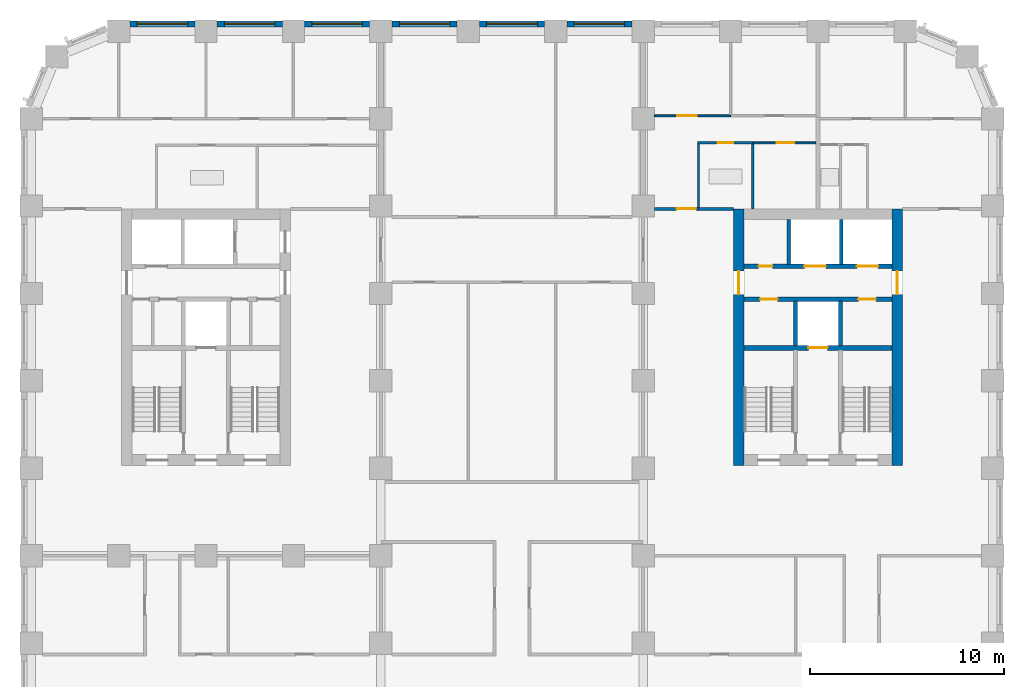
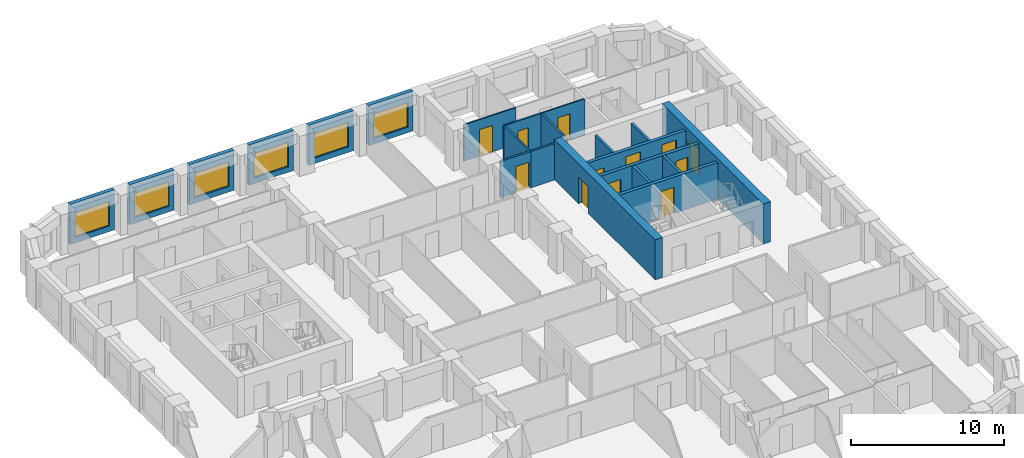
# One storey, part 8 of 13: 22 walls, 12 doors, 6 windows, 18 openings.
"""IFC4 building model written with IfcOpenShell, lengths in metres."""

from ifc_helpers import new_model, si_unit, direction, frame, frame_2d, origin, place, context, subcontext, project, spatial, rectangle, extrude, material, layer, layer_set, type_object, element, fill, save


model = new_model("IFC4")

# Units and contexts
model_context = context("Model", 3, precision=1e-05, world=origin(), true_north=direction((0.0, 1.0)))
body_context = subcontext(model_context, "Body", "Model", "MODEL_VIEW")
ifc_project = project(units=[si_unit("LENGTHUNIT", "METRE"), si_unit("AREAUNIT", "SQUARE_METRE"), si_unit("VOLUMEUNIT", "CUBIC_METRE"), si_unit("PLANEANGLEUNIT", "RADIAN"), si_unit("MASSUNIT", "GRAM", prefix="KILO")], contexts=[model_context])

# Site, building, storey
site_placement = place(None, origin())
site = spatial("IfcSite", under=ifc_project, at=site_placement, CompositionType="ELEMENT")
building_placement = place(site_placement, origin())
building = spatial("IfcBuilding", under=site, at=building_placement, Name="Girih Gate Residences", CompositionType="ELEMENT")
storey_placement = place(building_placement, frame((0.0, 0.0, 99.199951171875)))
storey = spatial("IfcBuildingStorey", under=building, at=storey_placement, Name="L27", CompositionType="ELEMENT", Elevation=99.199951171875)

# Wall
ifc_material_1 = material(Name="Gypsum board on steel studs", Category="steel")
ifc_layer_1 = layer(ifc_material_1, 0.14990234375)
ifc_layer_set_1 = layer_set([ifc_layer_1], Name="Compartment wall 150 mm")
wall_type_1 = type_object("IfcWallType", Name="Compartment wall 150 mm", PredefinedType="PARTITIONING", material=ifc_layer_set_1)
wall_1_placement = place(storey_placement, frame((34.35009765625, 40.35009765625, 0.0), z_axis=(0.0, 0.0, 1.0), x_axis=(1.0, 0.0, 0.0)))
element("IfcWall", 1, at=wall_1_placement, inside=storey, type_object=wall_type_1, Name="L27 partition", PredefinedType="PARTITIONING", context=body_context, shape_type="SweptSolid", body=[
    extrude(rectangle(XDim=1.7998046875, YDim=0.14990234375, at=frame_2d((0.89990234375, 0.0))), origin(), (0.0, 0.0, 1.0), 2.900146484375),
])

# Wall, opening, door
wall_2_placement = place(storey_placement, frame((32.074951171875, 40.35009765625, 0.0), z_axis=(0.0, 0.0, 1.0), x_axis=(1.0, 0.0, 0.0)))
wall_2 = element("IfcWall", 2, at=wall_2_placement, inside=storey, type_object=wall_type_1, Name="L27 partition", PredefinedType="PARTITIONING", context=body_context, shape_type="SweptSolid", body=[
    extrude(rectangle(XDim=2.275146484375, YDim=0.14990234375, at=frame_2d((1.1376953125, 0.0))), origin(), (0.0, 0.0, 1.0), 2.900146484375),
])
opening_1_placement = place(wall_2_placement, frame((1.14501953125, 0.0, 0.0)))
opening_1 = element("IfcOpeningElement", 3, at=opening_1_placement, cuts=wall_2, Name="Opening A27-038", PredefinedType="OPENING", context=body_context, shape_type="SweptSolid", body=[
    extrude(rectangle(XDim=1.0, YDim=2.10009765625, at=frame_2d((0.5, 1.050048828125))), frame((0.0, 0.0849609375, 0.0), z_axis=(0.0, -1.0, 0.0), x_axis=(1.0, 0.0, 0.0)), (0.0, 0.0, 1.0), 0.169921875),
])
ifc_material_2 = material(Name="Timber, fire-rated core", Category="wood")
door_type_1 = type_object("IfcDoorType", Name="Flat entrance door 1000x2100 FD30S", OperationType="NOTDEFINED", PredefinedType="DOOR", material=ifc_material_2)
door_1_placement = place(opening_1_placement, origin())
door_1 = element("IfcDoor", 4, at=door_1_placement, inside=storey, type_object=door_type_1, Name="Door A27-038", OperationType="SINGLE_SWING_RIGHT", OverallHeight=2.10009765625, OverallWidth=1.0, PredefinedType="DOOR", context=body_context, shape_type="SweptSolid", body=[
    extrude(rectangle(XDim=1.0, YDim=2.10009765625, at=frame_2d((0.5, 1.050048828125))), frame((0.0, 0.02490234375, 0.0), z_axis=(0.0, -1.0, 0.0), x_axis=(1.0, 0.0, 0.0)), (0.0, 0.0, 1.0), 0.050048828125),
])
fill(opening_1, door_1)

ifc_material_3 = material(Name="Concrete C60/75", Category="concrete")
ifc_layer_2 = layer(ifc_material_3, 0.550048828125)
ifc_layer_set_2 = layer_set([ifc_layer_2], Name="Core wall RC 550 Concrete C60/75")
wall_type_2 = type_object("IfcWallType", Name="Core wall RC 550 Concrete C60/75", PredefinedType="SOLIDWALL", material=ifc_layer_set_2)
wall_3_placement = place(storey_placement, frame((36.425048828125, 27.14990234375, 0.0), z_axis=(0.0, 0.0, 1.0), x_axis=(0.0, 1.0, 0.0)))
wall_3 = element("IfcWall", 5, at=wall_3_placement, inside=storey, type_object=wall_type_2, Name="Core wall E-W L27", PredefinedType="SOLIDWALL", context=body_context, shape_type="SweptSolid", body=[
    extrude(rectangle(XDim=13.2001953125, YDim=0.550048828125, at=frame_2d((6.60009765625, 0.0))), origin(), (0.0, 0.0, 1.0), 3.199951171875),
])
opening_2_placement = place(wall_3_placement, frame((8.800048828125, 0.0, 0.0)))
opening_2 = element("IfcOpeningElement", 6, at=opening_2_placement, cuts=wall_3, Name="Opening D-L27-E-012", PredefinedType="OPENING", context=body_context, shape_type="SweptSolid", body=[
    extrude(rectangle(XDim=1.199951171875, YDim=2.10009765625, at=frame_2d((0.60009765625, 1.050048828125))), frame((0.0, 0.284912109375, 0.0), z_axis=(0.0, -1.0, 0.0), x_axis=(1.0, 0.0, 0.0)), (0.0, 0.0, 1.0), 0.570068359375),
])
ifc_material_4 = material(Name="Painted steel, fire-resisting", Category="steel")
door_type_2 = type_object("IfcDoorType", Name="Fire door 1200x2100", OperationType="SINGLE_SWING_LEFT", PredefinedType="DOOR", material=ifc_material_4)
door_2_placement = place(opening_2_placement, origin())
door_2 = element("IfcDoor", 7, at=door_2_placement, inside=storey, type_object=door_type_2, Name="L27 E core door ll-w", OperationType="SINGLE_SWING_LEFT", OverallHeight=2.10009765625, OverallWidth=1.199951171875, PredefinedType="DOOR", context=body_context, shape_type="SweptSolid", body=[
    extrude(rectangle(XDim=1.199951171875, YDim=2.10009765625, at=frame_2d((0.60009765625, 1.050048828125))), frame((0.0, 0.02490234375, 0.0), z_axis=(0.0, -1.0, 0.0), x_axis=(1.0, 0.0, 0.0)), (0.0, 0.0, 1.0), 0.050048828125),
])
fill(opening_2, door_2)

wall_4_placement = place(storey_placement, frame((44.574951171875, 27.14990234375, 0.0), z_axis=(0.0, 0.0, 1.0), x_axis=(0.0, 1.0, 0.0)))
wall_4 = element("IfcWall", 8, at=wall_4_placement, inside=storey, type_object=wall_type_2, Name="Core wall E-E L27", PredefinedType="SOLIDWALL", context=body_context, shape_type="SweptSolid", body=[
    extrude(rectangle(XDim=13.2001953125, YDim=0.550048828125, at=frame_2d((6.60009765625, 0.0))), origin(), (0.0, 0.0, 1.0), 3.199951171875),
])
opening_3_placement = place(wall_4_placement, frame((8.800048828125, 0.0, 0.0)))
opening_3 = element("IfcOpeningElement", 9, at=opening_3_placement, cuts=wall_4, Name="Opening D-L27-E-013", PredefinedType="OPENING", context=body_context, shape_type="SweptSolid", body=[
    extrude(rectangle(XDim=1.199951171875, YDim=2.10009765625, at=frame_2d((0.60009765625, 1.050048828125))), frame((0.0, 0.284912109375, 0.0), z_axis=(0.0, -1.0, 0.0), x_axis=(1.0, 0.0, 0.0)), (0.0, 0.0, 1.0), 0.570068359375),
])
door_3_placement = place(opening_3_placement, origin())
door_3 = element("IfcDoor", 10, at=door_3_placement, inside=storey, type_object=door_type_2, Name="L27 E core door ll-e", OperationType="SINGLE_SWING_LEFT", OverallHeight=2.10009765625, OverallWidth=1.199951171875, PredefinedType="DOOR", context=body_context, shape_type="SweptSolid", body=[
    extrude(rectangle(XDim=1.199951171875, YDim=2.10009765625, at=frame_2d((0.60009765625, 1.050048828125))), frame((0.0, 0.02490234375, 0.0), z_axis=(0.0, -1.0, 0.0), x_axis=(1.0, 0.0, 0.0)), (0.0, 0.0, 1.0), 0.050048828125),
])
fill(opening_3, door_3)

ifc_material_5 = material(Name="Concrete C40/50", Category="concrete")
ifc_layer_3 = layer(ifc_material_5, 0.25)
ifc_layer_set_3 = layer_set([ifc_layer_3], Name="Lift shaft wall 250")
wall_type_3 = type_object("IfcWallType", Name="Lift shaft wall 250", PredefinedType="SOLIDWALL", material=ifc_layer_set_3)
wall_5_placement = place(storey_placement, frame((36.699951171875, 33.199951171875, 0.0), z_axis=(0.0, 0.0, 1.0), x_axis=(1.0, 0.0, 0.0)))
wall_5 = element("IfcWall", 11, at=wall_5_placement, inside=storey, type_object=wall_type_3, Name="L27 E core wall H1", PredefinedType="SOLIDWALL", context=body_context, shape_type="SweptSolid", body=[
    extrude(rectangle(XDim=7.60009765625, YDim=0.25, at=frame_2d((3.800048828125, 0.0))), origin(), (0.0, 0.0, 1.0), 2.900146484375),
])
opening_4_placement = place(wall_5_placement, frame((3.300048828125, 0.0, 0.0)))
opening_4 = element("IfcOpeningElement", 12, at=opening_4_placement, cuts=wall_5, Name="Opening D-L27-E-005", PredefinedType="OPENING", context=body_context, shape_type="SweptSolid", body=[
    extrude(rectangle(XDim=1.0, YDim=2.10009765625, at=frame_2d((0.5, 1.050048828125))), frame((0.0, 0.135009765625, 0.0), z_axis=(0.0, -1.0, 0.0), x_axis=(1.0, 0.0, 0.0)), (0.0, 0.0, 1.0), 0.27001953125),
])
ifc_material_6 = material(Name="Stainless steel, fire-resisting", Category="steel")
door_type_3 = type_object("IfcDoorType", Name="Firefighting lift landing door 1000x2100", OperationType="SLIDING_TO_LEFT", PredefinedType="DOOR", material=ifc_material_6)
door_4_placement = place(opening_4_placement, origin())
door_4 = element("IfcDoor", 13, at=door_4_placement, inside=storey, type_object=door_type_3, Name="L27 lift FF-E landing door", OperationType="SLIDING_TO_LEFT", OverallHeight=2.10009765625, OverallWidth=1.0, PredefinedType="DOOR", context=body_context, shape_type="SweptSolid", body=[
    extrude(rectangle(XDim=1.0, YDim=2.10009765625, at=frame_2d((0.5, 1.050048828125))), frame((0.0, 0.02490234375, 0.0), z_axis=(0.0, -1.0, 0.0), x_axis=(1.0, 0.0, 0.0)), (0.0, 0.0, 1.0), 0.050048828125),
])
fill(opening_4, door_4)

# Wall, openings, doors
wall_6_placement = place(storey_placement, frame((36.699951171875, 35.699951171875, 0.0), z_axis=(0.0, 0.0, 1.0), x_axis=(1.0, 0.0, 0.0)))
wall_6 = element("IfcWall", 14, at=wall_6_placement, inside=storey, type_object=wall_type_3, Name="L27 E core wall H2", PredefinedType="SOLIDWALL", context=body_context, shape_type="SweptSolid", body=[
    extrude(rectangle(XDim=7.60009765625, YDim=0.25, at=frame_2d((3.800048828125, 0.0))), origin(), (0.0, 0.0, 1.0), 2.900146484375),
])
opening_5_placement = place(wall_6_placement, frame((5.875, 0.0, 0.0)))
opening_5 = element("IfcOpeningElement", 15, at=opening_5_placement, cuts=wall_6, Name="Opening D-L27-E-007", PredefinedType="OPENING", context=body_context, shape_type="SweptSolid", body=[
    extrude(rectangle(XDim=0.89990234375, YDim=2.10009765625, at=frame_2d((0.449951171875, 1.050048828125))), frame((0.0, 0.135009765625, 0.0), z_axis=(0.0, -1.0, 0.0), x_axis=(1.0, 0.0, 0.0)), (0.0, 0.0, 1.0), 0.27001953125),
])
opening_6_placement = place(wall_6_placement, frame((0.824951171875, 0.0, 0.0)))
opening_6 = element("IfcOpeningElement", 16, at=opening_6_placement, cuts=wall_6, Name="Opening D-L27-E-008", PredefinedType="OPENING", context=body_context, shape_type="SweptSolid", body=[
    extrude(rectangle(XDim=0.89990234375, YDim=2.10009765625, at=frame_2d((0.449951171875, 1.050048828125))), frame((0.0, 0.135009765625, 0.0), z_axis=(0.0, -1.0, 0.0), x_axis=(1.0, 0.0, 0.0)), (0.0, 0.0, 1.0), 0.27001953125),
])
door_type_4 = type_object("IfcDoorType", Name="Fire door 900x2100", OperationType="SINGLE_SWING_LEFT", PredefinedType="DOOR", material=ifc_material_4)
door_5_placement = place(opening_5_placement, origin())
door_5 = element("IfcDoor", 17, at=door_5_placement, inside=storey, type_object=door_type_4, Name="L27 E electrical room door", OperationType="SINGLE_SWING_LEFT", OverallHeight=2.10009765625, OverallWidth=0.89990234375, PredefinedType="DOOR", context=body_context, shape_type="SweptSolid", body=[
    extrude(rectangle(XDim=0.89990234375, YDim=2.10009765625, at=frame_2d((0.449951171875, 1.050048828125))), frame((0.0, 0.02490234375, 0.0), z_axis=(0.0, -1.0, 0.0), x_axis=(1.0, 0.0, 0.0)), (0.0, 0.0, 1.0), 0.050048828125),
])
fill(opening_5, door_5)
door_6_placement = place(opening_6_placement, origin())
door_6 = element("IfcDoor", 18, at=door_6_placement, inside=storey, type_object=door_type_4, Name="L27 E store door", OperationType="SINGLE_SWING_LEFT", OverallHeight=2.10009765625, OverallWidth=0.89990234375, PredefinedType="DOOR", context=body_context, shape_type="SweptSolid", body=[
    extrude(rectangle(XDim=0.89990234375, YDim=2.10009765625, at=frame_2d((0.449951171875, 1.050048828125))), frame((0.0, 0.02490234375, 0.0), z_axis=(0.0, -1.0, 0.0), x_axis=(1.0, 0.0, 0.0)), (0.0, 0.0, 1.0), 0.050048828125),
])
fill(opening_6, door_6)

wall_7_placement = place(storey_placement, frame((36.699951171875, 37.39990234375, 0.0), z_axis=(0.0, 0.0, 1.0), x_axis=(1.0, 0.0, 0.0)))
wall_7 = element("IfcWall", 19, at=wall_7_placement, inside=storey, type_object=wall_type_3, Name="L27 E core wall H3", PredefinedType="SOLIDWALL", context=body_context, shape_type="SweptSolid", body=[
    extrude(rectangle(XDim=7.60009765625, YDim=0.25, at=frame_2d((3.800048828125, 0.0))), origin(), (0.0, 0.0, 1.0), 2.900146484375),
])
opening_7_placement = place(wall_7_placement, frame((5.800048828125, 0.0, 0.0)))
opening_7 = element("IfcOpeningElement", 20, at=opening_7_placement, cuts=wall_7, Name="Opening D-L27-E-003", PredefinedType="OPENING", context=body_context, shape_type="SweptSolid", body=[
    extrude(rectangle(XDim=1.10009765625, YDim=2.39990234375, at=frame_2d((0.550048828125, 1.199951171875))), frame((0.0, 0.135009765625, 0.0), z_axis=(0.0, -1.0, 0.0), x_axis=(1.0, 0.0, 0.0)), (0.0, 0.0, 1.0), 0.27001953125),
])
opening_8_placement = place(wall_7_placement, frame((3.10009765625, 0.0, 0.0)))
opening_8 = element("IfcOpeningElement", 21, at=opening_8_placement, cuts=wall_7, Name="Opening D-L27-E-004", PredefinedType="OPENING", context=body_context, shape_type="SweptSolid", body=[
    extrude(rectangle(XDim=1.10009765625, YDim=2.39990234375, at=frame_2d((0.550048828125, 1.199951171875))), frame((0.0, 0.135009765625, 0.0), z_axis=(0.0, -1.0, 0.0), x_axis=(1.0, 0.0, 0.0)), (0.0, 0.0, 1.0), 0.27001953125),
])
opening_9_placement = place(wall_7_placement, frame((0.75, 0.0, 0.0)))
opening_9 = element("IfcOpeningElement", 22, at=opening_9_placement, cuts=wall_7, Name="Opening D-L27-E-006", PredefinedType="OPENING", context=body_context, shape_type="SweptSolid", body=[
    extrude(rectangle(XDim=0.699951171875, YDim=2.10009765625, at=frame_2d((0.35009765625, 1.050048828125))), frame((0.0, 0.135009765625, 0.0), z_axis=(0.0, -1.0, 0.0), x_axis=(1.0, 0.0, 0.0)), (0.0, 0.0, 1.0), 0.27001953125),
])
ifc_material_7 = material(Name="Stainless steel", Category="steel")
door_type_5 = type_object("IfcDoorType", Name="Lift landing door 1100x2400", OperationType="SLIDING_TO_LEFT", PredefinedType="DOOR", material=ifc_material_7)
door_7_placement = place(opening_7_placement, origin())
door_7 = element("IfcDoor", 23, at=door_7_placement, inside=storey, type_object=door_type_5, Name="L27 lift LR-E1 landing door", OperationType="SLIDING_TO_LEFT", OverallHeight=2.39990234375, OverallWidth=1.10009765625, PredefinedType="DOOR", context=body_context, shape_type="SweptSolid", body=[
    extrude(rectangle(XDim=1.10009765625, YDim=2.39990234375, at=frame_2d((0.550048828125, 1.199951171875))), frame((0.0, 0.02490234375, 0.0), z_axis=(0.0, -1.0, 0.0), x_axis=(1.0, 0.0, 0.0)), (0.0, 0.0, 1.0), 0.050048828125),
])
fill(opening_7, door_7)
door_8_placement = place(opening_8_placement, origin())
door_8 = element("IfcDoor", 24, at=door_8_placement, inside=storey, type_object=door_type_5, Name="L27 lift LR-E2 landing door", OperationType="SLIDING_TO_LEFT", OverallHeight=2.39990234375, OverallWidth=1.10009765625, PredefinedType="DOOR", context=body_context, shape_type="SweptSolid", body=[
    extrude(rectangle(XDim=1.10009765625, YDim=2.39990234375, at=frame_2d((0.550048828125, 1.199951171875))), frame((0.0, 0.02490234375, 0.0), z_axis=(0.0, -1.0, 0.0), x_axis=(1.0, 0.0, 0.0)), (0.0, 0.0, 1.0), 0.050048828125),
])
fill(opening_8, door_8)
door_type_6 = type_object("IfcDoorType", Name="Riser access door 700x2100", OperationType="SINGLE_SWING_LEFT", PredefinedType="DOOR", material=ifc_material_4)
door_9_placement = place(opening_9_placement, origin())
door_9 = element("IfcDoor", 25, at=door_9_placement, inside=storey, type_object=door_type_6, Name="L27 E riser room door", OperationType="SINGLE_SWING_LEFT", OverallHeight=2.10009765625, OverallWidth=0.699951171875, PredefinedType="DOOR", context=body_context, shape_type="SweptSolid", body=[
    extrude(rectangle(XDim=0.699951171875, YDim=2.10009765625, at=frame_2d((0.35009765625, 1.050048828125))), frame((0.0, 0.02490234375, 0.0), z_axis=(0.0, -1.0, 0.0), x_axis=(1.0, 0.0, 0.0)), (0.0, 0.0, 1.0), 0.050048828125),
])
fill(opening_9, door_9)

# Wall, opening, door
ifc_layer_4 = layer(ifc_material_1, 0.10009765625)
ifc_layer_set_4 = layer_set([ifc_layer_4], Name="Partition 100 mm")
wall_type_4 = type_object("IfcWallType", Name="Partition 100 mm", PredefinedType="PARTITIONING", material=ifc_layer_set_4)
wall_8_placement = place(storey_placement, frame((40.39990234375, 43.7548828125, 0.0), z_axis=(0.0, 0.0, 1.0), x_axis=(-1.0, 0.0, 0.0)))
wall_8 = element("IfcWall", 26, at=wall_8_placement, inside=storey, type_object=wall_type_4, Name="L27 partition", PredefinedType="PARTITIONING", context=body_context, shape_type="SweptSolid", body=[
    extrude(rectangle(XDim=3.250244140625, YDim=0.10009765625, at=frame_2d((1.625, 0.0))), origin(), (0.0, 0.0, 1.0), 2.900146484375),
])
opening_10_placement = place(wall_8_placement, frame((1.125, 0.0, 0.0)))
opening_10 = element("IfcOpeningElement", 27, at=opening_10_placement, cuts=wall_8, Name="Opening A27-036", PredefinedType="OPENING", context=body_context, shape_type="SweptSolid", body=[
    extrude(rectangle(XDim=0.89990234375, YDim=2.10009765625, at=frame_2d((0.449951171875, 1.050048828125))), frame((0.0, 0.06005859375, 0.0), z_axis=(0.0, -1.0, 0.0), x_axis=(1.0, 0.0, 0.0)), (0.0, 0.0, 1.0), 0.1201171875),
])
ifc_material_8 = material(Name="Timber", Category="wood")
door_type_7 = type_object("IfcDoorType", Name="Kitchen door 900x2100", OperationType="NOTDEFINED", PredefinedType="DOOR", material=ifc_material_8)
door_10_placement = place(opening_10_placement, origin())
door_10 = element("IfcDoor", 28, at=door_10_placement, inside=storey, type_object=door_type_7, Name="Door A27-036", OperationType="SINGLE_SWING_LEFT", OverallHeight=2.10009765625, OverallWidth=0.89990234375, PredefinedType="DOOR", context=body_context, shape_type="SweptSolid", body=[
    extrude(rectangle(XDim=0.89990234375, YDim=2.10009765625, at=frame_2d((0.449951171875, 1.050048828125))), frame((0.0, 0.02490234375, 0.0), z_axis=(0.0, -1.0, 0.0), x_axis=(1.0, 0.0, 0.0)), (0.0, 0.0, 1.0), 0.050048828125),
])
fill(opening_10, door_10)

wall_9_placement = place(storey_placement, frame((32.074951171875, 45.135009765625, 0.0), z_axis=(0.0, 0.0, 1.0), x_axis=(1.0, 0.0, 0.0)))
wall_9 = element("IfcWall", 29, at=wall_9_placement, inside=storey, type_object=wall_type_4, Name="L27 partition", PredefinedType="PARTITIONING", context=body_context, shape_type="SweptSolid", body=[
    extrude(rectangle(XDim=3.925048828125, YDim=0.10009765625, at=frame_2d((1.96240234375, 0.0))), origin(), (0.0, 0.0, 1.0), 2.900146484375),
])
opening_11_placement = place(wall_9_placement, frame((1.175048828125, 0.0, 0.0)))
opening_11 = element("IfcOpeningElement", 30, at=opening_11_placement, cuts=wall_9, Name="Opening A27-037", PredefinedType="OPENING", context=body_context, shape_type="SweptSolid", body=[
    extrude(rectangle(XDim=1.0, YDim=2.10009765625, at=frame_2d((0.5, 1.050048828125))), frame((0.0, 0.06005859375, 0.0), z_axis=(0.0, -1.0, 0.0), x_axis=(1.0, 0.0, 0.0)), (0.0, 0.0, 1.0), 0.1201171875),
])
door_type_8 = type_object("IfcDoorType", Name="Living room door 1000x2100", OperationType="NOTDEFINED", PredefinedType="DOOR", material=ifc_material_8)
door_11_placement = place(opening_11_placement, origin())
door_11 = element("IfcDoor", 31, at=door_11_placement, inside=storey, type_object=door_type_8, Name="Door A27-037", OperationType="SINGLE_SWING_LEFT", OverallHeight=2.10009765625, OverallWidth=1.0, PredefinedType="DOOR", context=body_context, shape_type="SweptSolid", body=[
    extrude(rectangle(XDim=1.0, YDim=2.10009765625, at=frame_2d((0.5, 1.050048828125))), frame((0.0, 0.02490234375, 0.0), z_axis=(0.0, -1.0, 0.0), x_axis=(1.0, 0.0, 0.0)), (0.0, 0.0, 1.0), 0.050048828125),
])
fill(opening_11, door_11)

# Wall, opening, window
ifc_material_9 = material(Name="Precast concrete C50/60", Category="concrete")
ifc_layer_5 = layer(ifc_material_9, 0.080078125, Name="Outer leaf")
ifc_material_10 = material(Name="Rigid PIR insulation")
ifc_layer_6 = layer(ifc_material_10, 0.14990234375, Name="Insulation")
ifc_material_11 = material(Name="Precast concrete C40/50", Category="concrete")
ifc_layer_7 = layer(ifc_material_11, 0.070068359375, Name="Inner leaf")
ifc_layer_set_5 = layer_set([ifc_layer_5, ifc_layer_6, ifc_layer_7], Name="Precast concrete C50/60 external wall 300")
wall_type_5 = type_object("IfcWallType", Name="Precast concrete C50/60 external wall 300", PredefinedType="SOLIDWALL", material=ifc_layer_set_5)
wall_10_placement = place(storey_placement, frame((27.574951171875, 49.875, 0.0), z_axis=(0.0, 0.0, 1.0), x_axis=(1.0, 0.0, 0.0)))
wall_10 = element("IfcWall", 32, at=wall_10_placement, inside=storey, type_object=wall_type_5, Name="External wall N0450_0495.3", PredefinedType="SOLIDWALL", context=body_context, shape_type="SweptSolid", body=[
    extrude(rectangle(XDim=3.35009765625, YDim=0.300048828125, at=frame_2d((1.675048828125, 0.0))), origin(), (0.0, 0.0, 1.0), 3.199951171875),
])
opening_12_placement = place(wall_10_placement, frame((0.375, 0.0, 0.449951171875)))
opening_12 = element("IfcOpeningElement", 33, at=opening_12_placement, cuts=wall_10, Name="Opening W-1A", PredefinedType="OPENING", context=body_context, shape_type="SweptSolid", body=[
    extrude(rectangle(XDim=2.60009765625, YDim=1.949951171875, at=frame_2d((1.300048828125, 0.97509765625))), frame((0.0, 0.159912109375, 0.0), z_axis=(0.0, -1.0, 0.0), x_axis=(1.0, 0.0, 0.0)), (0.0, 0.0, 1.0), 0.320068359375),
])
ifc_material_12 = material(Name="Double glazing in aluminium frame", Category="aluminium")
window_type = type_object("IfcWindowType", Name="Window W-1A 2600x1950", PartitioningType="SINGLE_PANEL", PredefinedType="WINDOW", material=ifc_material_12)
window_1_placement = place(opening_12_placement, origin())
window_1 = element("IfcWindow", 34, at=window_1_placement, inside=storey, type_object=window_type, Name="Window W-1A N0450_0495.3", OverallHeight=1.949951171875, OverallWidth=2.60009765625, PartitioningType="SINGLE_PANEL", PredefinedType="WINDOW", context=body_context, shape_type="SweptSolid", body=[
    extrude(rectangle(XDim=2.60009765625, YDim=1.949951171875, at=frame_2d((1.300048828125, 0.97509765625))), frame((0.0, 0.030029296875, 0.0), z_axis=(0.0, -1.0, 0.0), x_axis=(1.0, 0.0, 0.0)), (0.0, 0.0, 1.0), 0.06005859375),
])
fill(opening_12, window_1)

wall_11_placement = place(storey_placement, frame((23.074951171875, 49.875, 0.0), z_axis=(0.0, 0.0, 1.0), x_axis=(1.0, 0.0, 0.0)))
wall_11 = element("IfcWall", 35, at=wall_11_placement, inside=storey, type_object=wall_type_5, Name="External wall N0450_0495.4", PredefinedType="SOLIDWALL", context=body_context, shape_type="SweptSolid", body=[
    extrude(rectangle(XDim=3.35009765625, YDim=0.300048828125, at=frame_2d((1.675048828125, 0.0))), origin(), (0.0, 0.0, 1.0), 3.199951171875),
])
opening_13_placement = place(wall_11_placement, frame((0.375, 0.0, 0.449951171875)))
opening_13 = element("IfcOpeningElement", 36, at=opening_13_placement, cuts=wall_11, Name="Opening W-1A", PredefinedType="OPENING", context=body_context, shape_type="SweptSolid", body=[
    extrude(rectangle(XDim=2.60009765625, YDim=1.949951171875, at=frame_2d((1.300048828125, 0.97509765625))), frame((0.0, 0.159912109375, 0.0), z_axis=(0.0, -1.0, 0.0), x_axis=(1.0, 0.0, 0.0)), (0.0, 0.0, 1.0), 0.320068359375),
])
window_2_placement = place(opening_13_placement, origin())
window_2 = element("IfcWindow", 37, at=window_2_placement, inside=storey, type_object=window_type, Name="Window W-1A N0450_0495.4", OverallHeight=1.949951171875, OverallWidth=2.60009765625, PartitioningType="SINGLE_PANEL", PredefinedType="WINDOW", context=body_context, shape_type="SweptSolid", body=[
    extrude(rectangle(XDim=2.60009765625, YDim=1.949951171875, at=frame_2d((1.300048828125, 0.97509765625))), frame((0.0, 0.030029296875, 0.0), z_axis=(0.0, -1.0, 0.0), x_axis=(1.0, 0.0, 0.0)), (0.0, 0.0, 1.0), 0.06005859375),
])
fill(opening_13, window_2)

wall_12_placement = place(storey_placement, frame((18.574951171875, 49.875, 0.0), z_axis=(0.0, 0.0, 1.0), x_axis=(1.0, 0.0, 0.0)))
wall_12 = element("IfcWall", 38, at=wall_12_placement, inside=storey, type_object=wall_type_5, Name="External wall N0450_0495.5", PredefinedType="SOLIDWALL", context=body_context, shape_type="SweptSolid", body=[
    extrude(rectangle(XDim=3.35009765625, YDim=0.300048828125, at=frame_2d((1.675048828125, 0.0))), origin(), (0.0, 0.0, 1.0), 3.199951171875),
])
opening_14_placement = place(wall_12_placement, frame((0.375, 0.0, 0.449951171875)))
opening_14 = element("IfcOpeningElement", 39, at=opening_14_placement, cuts=wall_12, Name="Opening W-1A", PredefinedType="OPENING", context=body_context, shape_type="SweptSolid", body=[
    extrude(rectangle(XDim=2.60009765625, YDim=1.949951171875, at=frame_2d((1.300048828125, 0.97509765625))), frame((0.0, 0.159912109375, 0.0), z_axis=(0.0, -1.0, 0.0), x_axis=(1.0, 0.0, 0.0)), (0.0, 0.0, 1.0), 0.320068359375),
])
window_3_placement = place(opening_14_placement, origin())
window_3 = element("IfcWindow", 40, at=window_3_placement, inside=storey, type_object=window_type, Name="Window W-1A N0450_0495.5", OverallHeight=1.949951171875, OverallWidth=2.60009765625, PartitioningType="SINGLE_PANEL", PredefinedType="WINDOW", context=body_context, shape_type="SweptSolid", body=[
    extrude(rectangle(XDim=2.60009765625, YDim=1.949951171875, at=frame_2d((1.300048828125, 0.97509765625))), frame((0.0, 0.030029296875, 0.0), z_axis=(0.0, -1.0, 0.0), x_axis=(1.0, 0.0, 0.0)), (0.0, 0.0, 1.0), 0.06005859375),
])
fill(opening_14, window_3)

wall_13_placement = place(storey_placement, frame((14.074951171875, 49.875, 0.0), z_axis=(0.0, 0.0, 1.0), x_axis=(1.0, 0.0, 0.0)))
wall_13 = element("IfcWall", 41, at=wall_13_placement, inside=storey, type_object=wall_type_5, Name="External wall N0450_0495.6", PredefinedType="SOLIDWALL", context=body_context, shape_type="SweptSolid", body=[
    extrude(rectangle(XDim=3.35009765625, YDim=0.300048828125, at=frame_2d((1.675048828125, 0.0))), origin(), (0.0, 0.0, 1.0), 3.199951171875),
])
opening_15_placement = place(wall_13_placement, frame((0.375, 0.0, 0.449951171875)))
opening_15 = element("IfcOpeningElement", 42, at=opening_15_placement, cuts=wall_13, Name="Opening W-1A", PredefinedType="OPENING", context=body_context, shape_type="SweptSolid", body=[
    extrude(rectangle(XDim=2.60009765625, YDim=1.949951171875, at=frame_2d((1.300048828125, 0.97509765625))), frame((0.0, 0.159912109375, 0.0), z_axis=(0.0, -1.0, 0.0), x_axis=(1.0, 0.0, 0.0)), (0.0, 0.0, 1.0), 0.320068359375),
])
window_4_placement = place(opening_15_placement, origin())
window_4 = element("IfcWindow", 43, at=window_4_placement, inside=storey, type_object=window_type, Name="Window W-1A N0450_0495.6", OverallHeight=1.949951171875, OverallWidth=2.60009765625, PartitioningType="SINGLE_PANEL", PredefinedType="WINDOW", context=body_context, shape_type="SweptSolid", body=[
    extrude(rectangle(XDim=2.60009765625, YDim=1.949951171875, at=frame_2d((1.300048828125, 0.97509765625))), frame((0.0, 0.030029296875, 0.0), z_axis=(0.0, -1.0, 0.0), x_axis=(1.0, 0.0, 0.0)), (0.0, 0.0, 1.0), 0.06005859375),
])
fill(opening_15, window_4)

wall_14_placement = place(storey_placement, frame((9.574951171875, 49.875, 0.0), z_axis=(0.0, 0.0, 1.0), x_axis=(1.0, 0.0, 0.0)))
wall_14 = element("IfcWall", 44, at=wall_14_placement, inside=storey, type_object=wall_type_5, Name="External wall N0450_0495.7", PredefinedType="SOLIDWALL", context=body_context, shape_type="SweptSolid", body=[
    extrude(rectangle(XDim=3.35009765625, YDim=0.300048828125, at=frame_2d((1.675048828125, 0.0))), origin(), (0.0, 0.0, 1.0), 3.199951171875),
])
opening_16_placement = place(wall_14_placement, frame((0.375, 0.0, 0.449951171875)))
opening_16 = element("IfcOpeningElement", 45, at=opening_16_placement, cuts=wall_14, Name="Opening W-1A", PredefinedType="OPENING", context=body_context, shape_type="SweptSolid", body=[
    extrude(rectangle(XDim=2.60009765625, YDim=1.949951171875, at=frame_2d((1.300048828125, 0.97509765625))), frame((0.0, 0.159912109375, 0.0), z_axis=(0.0, -1.0, 0.0), x_axis=(1.0, 0.0, 0.0)), (0.0, 0.0, 1.0), 0.320068359375),
])
window_5_placement = place(opening_16_placement, origin())
window_5 = element("IfcWindow", 46, at=window_5_placement, inside=storey, type_object=window_type, Name="Window W-1A N0450_0495.7", OverallHeight=1.949951171875, OverallWidth=2.60009765625, PartitioningType="SINGLE_PANEL", PredefinedType="WINDOW", context=body_context, shape_type="SweptSolid", body=[
    extrude(rectangle(XDim=2.60009765625, YDim=1.949951171875, at=frame_2d((1.300048828125, 0.97509765625))), frame((0.0, 0.030029296875, 0.0), z_axis=(0.0, -1.0, 0.0), x_axis=(1.0, 0.0, 0.0)), (0.0, 0.0, 1.0), 0.06005859375),
])
fill(opening_16, window_5)

wall_15_placement = place(storey_placement, frame((5.074951171875, 49.875, 0.0), z_axis=(0.0, 0.0, 1.0), x_axis=(1.0, 0.0, 0.0)))
wall_15 = element("IfcWall", 47, at=wall_15_placement, inside=storey, type_object=wall_type_5, Name="External wall N0450_0495.8", PredefinedType="SOLIDWALL", context=body_context, shape_type="SweptSolid", body=[
    extrude(rectangle(XDim=3.35009765625, YDim=0.300048828125, at=frame_2d((1.675048828125, 0.0))), origin(), (0.0, 0.0, 1.0), 3.199951171875),
])
opening_17_placement = place(wall_15_placement, frame((0.375, 0.0, 0.449951171875)))
opening_17 = element("IfcOpeningElement", 48, at=opening_17_placement, cuts=wall_15, Name="Opening W-1A", PredefinedType="OPENING", context=body_context, shape_type="SweptSolid", body=[
    extrude(rectangle(XDim=2.60009765625, YDim=1.949951171875, at=frame_2d((1.300048828125, 0.97509765625))), frame((0.0, 0.159912109375, 0.0), z_axis=(0.0, -1.0, 0.0), x_axis=(1.0, 0.0, 0.0)), (0.0, 0.0, 1.0), 0.320068359375),
])
window_6_placement = place(opening_17_placement, origin())
window_6 = element("IfcWindow", 49, at=window_6_placement, inside=storey, type_object=window_type, Name="Window W-1A N0450_0495.8", OverallHeight=1.949951171875, OverallWidth=2.60009765625, PartitioningType="SINGLE_PANEL", PredefinedType="WINDOW", context=body_context, shape_type="SweptSolid", body=[
    extrude(rectangle(XDim=2.60009765625, YDim=1.949951171875, at=frame_2d((1.300048828125, 0.97509765625))), frame((0.0, 0.030029296875, 0.0), z_axis=(0.0, -1.0, 0.0), x_axis=(1.0, 0.0, 0.0)), (0.0, 0.0, 1.0), 0.06005859375),
])
fill(opening_17, window_6)

# Walls
ifc_layer_8 = layer(ifc_material_5, 0.175048828125)
ifc_layer_set_6 = layer_set([ifc_layer_8], Name="Riser shaft wall 175")
wall_type_6 = type_object("IfcWallType", Name="Riser shaft wall 175", PredefinedType="SOLIDWALL", material=ifc_layer_set_6)
for number, where, z_axis, x_axis, name in (
    (50, (41.699951171875, 37.5, 0.0), (0.0, 0.0, 1.0), (0.0, 1.0, 0.0), "L27 E core wall V1c"),
    (51, (39.0, 37.5, 0.0), (0.0, 0.0, 1.0), (0.0, 1.0, 0.0), "L27 E core wall V2c"),
):
    element("IfcWall", number, at=place(storey_placement, frame(where, z_axis=z_axis, x_axis=x_axis)), inside=storey, type_object=wall_type_6, Name=name, PredefinedType="SOLIDWALL", context=body_context, shape_type="SweptSolid", body=[
        extrude(rectangle(XDim=2.300048828125, YDim=0.175048828125, at=frame_2d((1.14990234375, 0.0))), origin(), (0.0, 0.0, 1.0), 2.900146484375),
    ])
ifc_layer_9 = layer(ifc_material_5, 0.199951171875)
ifc_layer_set_7 = layer_set([ifc_layer_9], Name="Shaft wall 200")
wall_type_7 = type_object("IfcWallType", Name="Shaft wall 200", PredefinedType="SOLIDWALL", material=ifc_layer_set_7)
for number, where, z_axis, x_axis, name in (
    (52, (41.64990234375, 33.300048828125, 0.0), (0.0, 0.0, 1.0), (0.0, 1.0, 0.0), "L27 E core wall V1b"),
    (53, (39.35009765625, 33.300048828125, 0.0), (0.0, 0.0, 1.0), (0.0, 1.0, 0.0), "L27 E core wall V2b"),
):
    element("IfcWall", number, at=place(storey_placement, frame(where, z_axis=z_axis, x_axis=x_axis)), inside=storey, type_object=wall_type_7, Name=name, PredefinedType="SOLIDWALL", context=body_context, shape_type="SweptSolid", body=[
        extrude(rectangle(XDim=2.300048828125, YDim=0.199951171875, at=frame_2d((1.14990234375, 0.0))), origin(), (0.0, 0.0, 1.0), 2.900146484375),
    ])
ifc_layer_10 = layer(ifc_material_1, 0.125)
ifc_layer_set_8 = layer_set([ifc_layer_10], Name="Wet room wall 125 mm")
wall_type_8 = type_object("IfcWallType", Name="Wet room wall 125 mm", PredefinedType="PARTITIONING", material=ifc_layer_set_8)
wall_16_placement = place(storey_placement, frame((34.35009765625, 40.425048828125, 0.0), z_axis=(0.0, 0.0, 1.0), x_axis=(0.0, 1.0, 0.0)))
element("IfcWall", 54, at=wall_16_placement, inside=storey, type_object=wall_type_8, Name="L27 partition", PredefinedType="PARTITIONING", context=body_context, shape_type="SweptSolid", body=[
    extrude(rectangle(XDim=3.267333984375, YDim=0.125, at=frame_2d((1.6337890625, 0.0))), origin(), (0.0, 0.0, 1.0), 2.900146484375),
])

# Wall, opening, door
wall_17_placement = place(storey_placement, frame((37.149658203125, 43.7548828125, 0.0), z_axis=(0.0, 0.0, 1.0), x_axis=(-1.0, 0.0, 0.0)))
wall_17 = element("IfcWall", 55, at=wall_17_placement, inside=storey, type_object=wall_type_8, Name="L27 partition", PredefinedType="PARTITIONING", context=body_context, shape_type="SweptSolid", body=[
    extrude(rectangle(XDim=2.862060546875, YDim=0.125, at=frame_2d((1.43115234375, 0.0))), origin(), (0.0, 0.0, 1.0), 2.900146484375),
])
opening_18_placement = place(wall_17_placement, frame((1.0, 0.0, 0.0)))
opening_18 = element("IfcOpeningElement", 56, at=opening_18_placement, cuts=wall_17, Name="Opening A27-034", PredefinedType="OPENING", context=body_context, shape_type="SweptSolid", body=[
    extrude(rectangle(XDim=0.800048828125, YDim=2.10009765625, at=frame_2d((0.39990234375, 1.050048828125))), frame((0.0, 0.072509765625, 0.0), z_axis=(0.0, -1.0, 0.0), x_axis=(1.0, 0.0, 0.0)), (0.0, 0.0, 1.0), 0.14501953125),
])
door_type_9 = type_object("IfcDoorType", Name="Bathroom door 800x2100", OperationType="NOTDEFINED", PredefinedType="DOOR", material=ifc_material_8)
door_12_placement = place(opening_18_placement, origin())
door_12 = element("IfcDoor", 57, at=door_12_placement, inside=storey, type_object=door_type_9, Name="Door A27-034", OperationType="SINGLE_SWING_LEFT", OverallHeight=2.10009765625, OverallWidth=0.800048828125, PredefinedType="DOOR", context=body_context, shape_type="SweptSolid", body=[
    extrude(rectangle(XDim=0.800048828125, YDim=2.10009765625, at=frame_2d((0.39990234375, 1.050048828125))), frame((0.0, 0.02490234375, 0.0), z_axis=(0.0, -1.0, 0.0), x_axis=(1.0, 0.0, 0.0)), (0.0, 0.0, 1.0), 0.050048828125),
])
fill(opening_18, door_12)

# Wall
wall_18_placement = place(storey_placement, frame((37.14990234375, 40.35009765625, 0.0), z_axis=(0.0, 0.0, 1.0), x_axis=(0.0, 1.0, 0.0)))
element("IfcWall", 58, at=wall_18_placement, inside=storey, type_object=wall_type_8, Name="L27 partition", PredefinedType="PARTITIONING", context=body_context, shape_type="SweptSolid", body=[
    extrude(rectangle(XDim=3.34228515625, YDim=0.125, at=frame_2d((1.671142578125, 0.0))), origin(), (0.0, 0.0, 1.0), 2.900146484375),
])

save(model, "model.ifc")
